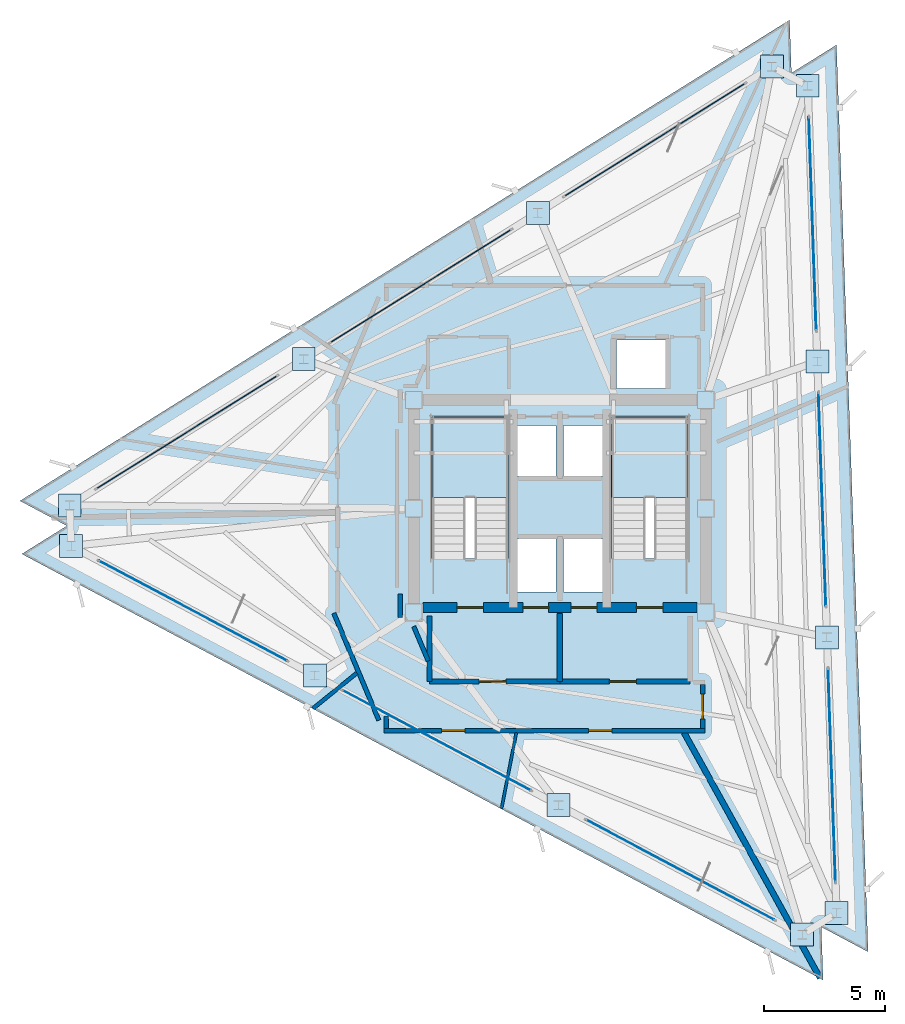
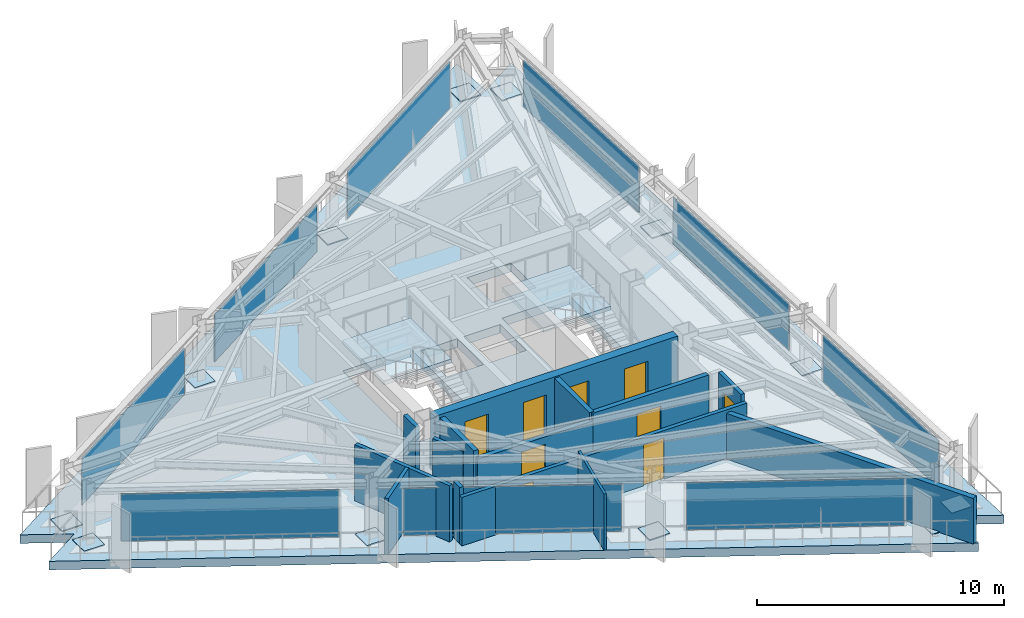
# One storey, part 8 of 13: 21 plates, 14 walls, 9 doors, 3 slabs, 9 openings, 11 elements without a shape of their own.
"""IFC4 building model written with IfcOpenShell, lengths in metres."""

from ifc_helpers import new_model, si_unit, direction, frame, frame_2d, origin, origin_2d, place, context, subcontext, project, spatial, polyline, rectangle, outline, extrude, material, layer, layer_set, type_object, element, fill, aggregate, save


model = new_model("IFC4")

# Units and contexts
model_context = context("Model", 3, precision=1e-05, world=origin(), true_north=direction((0.0, 1.0)))
body_context = subcontext(model_context, "Body", "Model", "MODEL_VIEW")
ifc_project = project(units=[si_unit("LENGTHUNIT", "METRE"), si_unit("AREAUNIT", "SQUARE_METRE"), si_unit("VOLUMEUNIT", "CUBIC_METRE"), si_unit("PLANEANGLEUNIT", "RADIAN"), si_unit("MASSUNIT", "GRAM", prefix="KILO")], contexts=[model_context])

# Site, building, storey
site_placement = place(None, origin())
site = spatial("IfcSite", under=ifc_project, at=site_placement, CompositionType="ELEMENT")
building_placement = place(site_placement, origin())
building = spatial("IfcBuilding", under=site, at=building_placement, Name="Rocaltana Carrier Exchange", CompositionType="ELEMENT")
storey_placement = place(building_placement, frame((0.0, 0.0, 193.60009765625)))
storey = spatial("IfcBuildingStorey", under=building, at=storey_placement, Name="L61", CompositionType="ELEMENT", Elevation=193.60009765625)

# Slab
ifc_material_1 = material(Name="Concrete C60/75", Category="concrete")
ifc_layer_1 = layer(ifc_material_1, 0.419921875)
ifc_layer_set_1 = layer_set([ifc_layer_1], Name="Concrete C60/75")
slab_type_1 = type_object("IfcSlabType", Name="Block Transfer Diaphragm Slab 420", PredefinedType="FLOOR", material=ifc_layer_set_1)
slab_1_placement = place(storey_placement, frame((0.0, 0.0, -0.420166015625)))
element("IfcSlab", 1, at=slab_1_placement, inside=storey, type_object=slab_type_1, Name="L61 Structural Floor Slab", PredefinedType="FLOOR", context=body_context, shape_type="SweptSolid", body=[
    extrude(outline(polyline([(10.907470703125, -19.53125), (10.83056640625, -17.33251953125), (12.773193359375, -18.365478515625), (11.4609375, 19.211669921875), (9.59521484375, 18.0458984375), (9.518310546875, 20.244384765625), (-22.3681640625, 0.319580078125), (-20.42578125, -0.71337890625), (-22.29150390625, -1.879150390625), (10.907470703125, -19.53125)]), holes=[polyline([(-5.300048828125, -2.06005859375), (-2.139892578125, -2.06005859375), (-2.139892578125, 3.800048828125), (-5.300048828125, 3.800048828125), (-5.300048828125, -2.06005859375)]), polyline([(2.139892578125, -2.06005859375), (5.300048828125, -2.06005859375), (5.300048828125, 3.800048828125), (2.139892578125, 3.800048828125), (2.139892578125, -2.06005859375)]), polyline([(-1.85009765625, -3.449951171875), (-0.14990234375, -3.449951171875), (-0.14990234375, -1.25), (-1.85009765625, -1.25), (-1.85009765625, -3.449951171875)]), polyline([(0.14990234375, -3.449951171875), (1.85009765625, -3.449951171875), (1.85009765625, -1.25), (0.14990234375, -1.25), (0.14990234375, -3.449951171875)]), polyline([(2.35009765625, 4.97998046875), (4.39990234375, 4.97998046875), (4.39990234375, 6.97998046875), (2.35009765625, 6.97998046875), (2.35009765625, 4.97998046875)]), polyline([(-1.85009765625, 1.35009765625), (-0.14990234375, 1.35009765625), (-0.14990234375, 3.449951171875), (-1.85009765625, 3.449951171875), (-1.85009765625, 1.35009765625)]), polyline([(0.14990234375, 1.35009765625), (1.85009765625, 1.35009765625), (1.85009765625, 3.449951171875), (0.14990234375, 3.449951171875), (0.14990234375, 1.35009765625)])]), origin(), (0.0, 0.0, 1.0), 0.420166015625),
])

# Curtain wall, plate
ifc_material_2 = material(Name="Aluminium 6063-T6", Category="aluminium")
ifc_layer_2 = layer(ifc_material_2, 0.1201171875)
ifc_layer_set_2 = layer_set([ifc_layer_2], Name="Aluminium 6063-T6")
curtain_wall_type = type_object("IfcCurtainWallType", Name="High-Altitude Thermal Curtain Wall CW-05", PredefinedType="NOTDEFINED", material=ifc_layer_set_2)
curtain_wall_1_placement = place(storey_placement, origin())
curtain_wall_1 = element("IfcCurtainWall", 2, at=curtain_wall_1_placement, inside=storey, type_object=curtain_wall_type, Name="L61 CW-05 Run CW-L61-F1S1", PredefinedType="NOTDEFINED")
ifc_material_3 = material(Name="Tempered Laminated Glass", Category="glass")
ifc_layer_3 = layer(ifc_material_3, 0.035888671875)
ifc_layer_set_3 = layer_set([ifc_layer_3], Name="Tempered Laminated Glass")
plate_type_1 = type_object("IfcPlateType", Name="CW-05 Stone-Insulated Vision Panel", PredefinedType="CURTAIN_PANEL", material=ifc_layer_set_3)
plate_1_placement = place(storey_placement, frame((11.266845703125, -11.046875, 0.06005859375), z_axis=(0.0, 0.0, 1.0), x_axis=(-0.034914127567, 0.999390315991, 0.0)))
plate_1 = element("IfcPlate", 3, at=plate_1_placement, type_object=plate_type_1, Name="CW-05 panel 1.1", PredefinedType="CURTAIN_PANEL", context=body_context, shape_type="SweptSolid", body=[
    extrude(rectangle(XDim=8.813232421875, YDim=0.035888671875, at=origin_2d()), origin(), (0.0, 0.0, 1.0), 2.327880859375),
])
aggregate(curtain_wall_1, [plate_1])

curtain_wall_2_placement = place(storey_placement, origin())
curtain_wall_2 = element("IfcCurtainWall", 4, at=curtain_wall_2_placement, inside=storey, type_object=curtain_wall_type, Name="L61 CW-05 Run CW-L61-F1S2", PredefinedType="NOTDEFINED")
plate_2_placement = place(storey_placement, frame((10.86767578125, 0.37939453125, 0.06005859375), z_axis=(0.0, 0.0, 1.0), x_axis=(-0.034902556738, 0.999390720156, 0.0)))
plate_2 = element("IfcPlate", 5, at=plate_2_placement, type_object=plate_type_1, Name="CW-05 panel 1.1", PredefinedType="CURTAIN_PANEL", context=body_context, shape_type="SweptSolid", body=[
    extrude(rectangle(XDim=8.8134765625, YDim=0.035888671875, at=origin_2d()), origin(), (0.0, 0.0, 1.0), 2.327880859375),
])
aggregate(curtain_wall_2, [plate_2])

curtain_wall_3_placement = place(storey_placement, origin())
curtain_wall_3 = element("IfcCurtainWall", 6, at=curtain_wall_3_placement, inside=storey, type_object=curtain_wall_type, Name="L61 CW-05 Run CW-L61-F1S3", PredefinedType="NOTDEFINED")
plate_3_placement = place(storey_placement, frame((10.46875, 11.805908203125, 0.06005859375), z_axis=(0.0, 0.0, 1.0), x_axis=(-0.034902556738, 0.999390720156, 0.0)))
plate_3 = element("IfcPlate", 7, at=plate_3_placement, type_object=plate_type_1, Name="CW-05 panel 1.1", PredefinedType="CURTAIN_PANEL", context=body_context, shape_type="SweptSolid", body=[
    extrude(rectangle(XDim=8.8134765625, YDim=0.035888671875, at=origin_2d()), origin(), (0.0, 0.0, 1.0), 2.327880859375),
])
aggregate(curtain_wall_3, [plate_3])

curtain_wall_4_placement = place(storey_placement, origin())
curtain_wall_4 = element("IfcCurtainWall", 8, at=curtain_wall_4_placement, inside=storey, type_object=curtain_wall_type, Name="L61 CW-05 Run CW-L61-F2S1", PredefinedType="NOTDEFINED")
plate_4_placement = place(storey_placement, frame((3.93359375, 15.28076171875, 0.06005859375), z_axis=(0.0, 0.0, 1.0), x_axis=(-0.848042322807, -0.529928503412, 0.0)))
plate_4 = element("IfcPlate", 9, at=plate_4_placement, type_object=plate_type_1, Name="CW-05 panel 1.1", PredefinedType="CURTAIN_PANEL", context=body_context, shape_type="SweptSolid", body=[
    extrude(rectangle(XDim=8.813232421875, YDim=0.035888671875, at=origin_2d()), origin(), (0.0, 0.0, 1.0), 2.327880859375),
])
aggregate(curtain_wall_4, [plate_4])

curtain_wall_5_placement = place(storey_placement, origin())
curtain_wall_5 = element("IfcCurtainWall", 10, at=curtain_wall_5_placement, inside=storey, type_object=curtain_wall_type, Name="L61 CW-05 Run CW-L61-F2S2", PredefinedType="NOTDEFINED")
plate_5_placement = place(storey_placement, frame((-5.762451171875, 9.221923828125, 0.06005859375), z_axis=(0.0, 0.0, 1.0), x_axis=(-0.848047353446, -0.529920452816, 0.0)))
plate_5 = element("IfcPlate", 11, at=plate_5_placement, type_object=plate_type_1, Name="CW-05 panel 1.1", PredefinedType="CURTAIN_PANEL", context=body_context, shape_type="SweptSolid", body=[
    extrude(rectangle(XDim=8.813232421875, YDim=0.035888671875, at=origin_2d()), origin(), (0.0, 0.0, 1.0), 2.327880859375),
])
aggregate(curtain_wall_5, [plate_5])

curtain_wall_6_placement = place(storey_placement, origin())
curtain_wall_6 = element("IfcCurtainWall", 12, at=curtain_wall_6_placement, inside=storey, type_object=curtain_wall_type, Name="L61 CW-05 Run CW-L61-F2S3", PredefinedType="NOTDEFINED")
plate_6_placement = place(storey_placement, frame((-15.45849609375, 3.163330078125, 0.06005859375), z_axis=(0.0, 0.0, 1.0), x_axis=(-0.848050496896, -0.529915422228, 0.0)))
plate_6 = element("IfcPlate", 13, at=plate_6_placement, type_object=plate_type_1, Name="CW-05 panel 1.1", PredefinedType="CURTAIN_PANEL", context=body_context, shape_type="SweptSolid", body=[
    extrude(rectangle(XDim=8.813232421875, YDim=0.035888671875, at=origin_2d()), origin(), (0.0, 0.0, 1.0), 2.327880859375),
])
aggregate(curtain_wall_6, [plate_6])

curtain_wall_7_placement = place(storey_placement, origin())
curtain_wall_7 = element("IfcCurtainWall", 14, at=curtain_wall_7_placement, inside=storey, type_object=curtain_wall_type, Name="L61 CW-05 Run CW-L61-F3S1", PredefinedType="NOTDEFINED")
plate_7_placement = place(storey_placement, frame((-15.2001953125, -4.23388671875, 0.06005859375), z_axis=(0.0, 0.0, 1.0), x_axis=(0.882941304732, -0.469483388841, 0.0)))
plate_7 = element("IfcPlate", 15, at=plate_7_placement, type_object=plate_type_1, Name="CW-05 panel 1.1", PredefinedType="CURTAIN_PANEL", context=body_context, shape_type="SweptSolid", body=[
    extrude(rectangle(XDim=8.8134765625, YDim=0.035888671875, at=origin_2d()), origin(), (0.0, 0.0, 1.0), 2.327880859375),
])
aggregate(curtain_wall_7, [plate_7])

curtain_wall_8_placement = place(storey_placement, origin())
curtain_wall_8 = element("IfcCurtainWall", 16, at=curtain_wall_8_placement, inside=storey, type_object=curtain_wall_type, Name="L61 CW-05 Run CW-L61-F3S2", PredefinedType="NOTDEFINED")
plate_8_placement = place(storey_placement, frame((-5.105224609375, -9.6015625, 0.06005859375), z_axis=(0.0, 0.0, 1.0), x_axis=(0.882943477624, -0.469479302335, 0.0)))
plate_8 = element("IfcPlate", 17, at=plate_8_placement, type_object=plate_type_1, Name="CW-05 panel 1.1", PredefinedType="CURTAIN_PANEL", context=body_context, shape_type="SweptSolid", body=[
    extrude(rectangle(XDim=8.813232421875, YDim=0.035888671875, at=origin_2d()), origin(), (0.0, 0.0, 1.0), 2.327880859375),
])
aggregate(curtain_wall_8, [plate_8])

curtain_wall_9_placement = place(storey_placement, origin())
curtain_wall_9 = element("IfcCurtainWall", 18, at=curtain_wall_9_placement, inside=storey, type_object=curtain_wall_type, Name="L61 CW-05 Run CW-L61-F3S3", PredefinedType="NOTDEFINED")
plate_9_placement = place(storey_placement, frame((4.98974609375, -14.968994140625, 0.06005859375), z_axis=(0.0, 0.0, 1.0), x_axis=(0.882945944879, -0.469474662173, 0.0)))
plate_9 = element("IfcPlate", 19, at=plate_9_placement, type_object=plate_type_1, Name="CW-05 panel 1.1", PredefinedType="CURTAIN_PANEL", context=body_context, shape_type="SweptSolid", body=[
    extrude(rectangle(XDim=8.8134765625, YDim=0.035888671875, at=origin_2d()), origin(), (0.0, 0.0, 1.0), 2.327880859375),
])
aggregate(curtain_wall_9, [plate_9])

# Plates
ifc_material_4 = material(Name="Steel S460", Category="steel")
ifc_layer_4 = layer(ifc_material_4, 0.0400390625)
ifc_layer_set_4 = layer_set([ifc_layer_4], Name="Steel S460")
plate_type_2 = type_object("IfcPlateType", Name="Column Base Bearing Plate 950x950x40", PredefinedType="SHEET", material=ifc_layer_set_4)
for number, where, z_axis, x_axis, name in (
    (20, (11.46630859375, -16.760009765625, 0.0), (0.0, 0.0, 1.0), (1.0, 0.0, 0.0), "L61 Block Transfer Bearing Plate TC01"),
    (21, (11.067138671875, -5.333740234375, 0.0), (0.0, 0.0, 1.0), (1.0, 0.0, 0.0), "L61 Block Transfer Bearing Plate TC02"),
    (22, (10.668212890625, 6.0927734375, 0.0), (0.0, 0.0, 1.0), (1.0, 0.0, 0.0), "L61 Block Transfer Bearing Plate TC03"),
    (23, (10.269287109375, 17.51904296875, 0.0), (0.0, 0.0, 1.0), (1.0, 0.0, 0.0), "L61 Block Transfer Bearing Plate TC04"),
    (24, (8.781494140625, 18.31005859375, 0.0), (0.0, 0.0, 1.0), (1.0, 0.0, 0.0), "L61 Block Transfer Bearing Plate TC05"),
    (25, (-0.91455078125, 12.251220703125, 0.0), (0.0, 0.0, 1.0), (1.0, 0.0, 0.0), "L61 Block Transfer Bearing Plate TC06"),
    (26, (-10.610595703125, 6.192626953125, 0.0), (0.0, 0.0, 1.0), (1.0, 0.0, 0.0), "L61 Block Transfer Bearing Plate TC07"),
    (27, (-20.306640625, 0.1337890625, 0.0), (0.0, 0.0, 1.0), (1.0, 0.0, 0.0), "L61 Block Transfer Bearing Plate TC08"),
    (28, (-20.247802734375, -1.550048828125, 0.0), (0.0, 0.0, 1.0), (1.0, 0.0, 0.0), "L61 Block Transfer Bearing Plate TC09"),
    (29, (-10.152587890625, -6.917724609375, 0.0), (0.0, 0.0, 1.0), (1.0, 0.0, 0.0), "L61 Block Transfer Bearing Plate TC10"),
    (30, (-0.0576171875, -12.285400390625, 0.0), (0.0, 0.0, 1.0), (1.0, 0.0, 0.0), "L61 Block Transfer Bearing Plate TC11"),
    (31, (10.037353515625, -17.65283203125, 0.0), (0.0, 0.0, 1.0), (1.0, 0.0, 0.0), "L61 Block Transfer Bearing Plate TC12"),
):
    element("IfcPlate", number, at=place(storey_placement, frame(where, z_axis=z_axis, x_axis=x_axis)), inside=storey, type_object=plate_type_2, Name=name, PredefinedType="SHEET", context=body_context, shape_type="SweptSolid", body=[
        extrude(rectangle(XDim=0.949951171875, YDim=0.949951171875, at=origin_2d()), origin(), (0.0, 0.0, 1.0), 0.0400390625),
    ])

# Stair, slab
ifc_material_5 = material(Name="Precast concrete C45/55", Category="concrete")
stair_type = type_object("IfcStairType", Name="Standard Dog-Leg Stair 160", PredefinedType="HALF_TURN_STAIR", material=ifc_material_5)
stair_1_placement = place(storey_placement, origin())
stair_1 = element("IfcStair", 32, at=stair_1_placement, inside=storey, type_object=stair_type, Name="L61 Core West Exit Stair ST-1", PredefinedType="HALF_TURN_STAIR")
ifc_material_6 = material(Name="Precast concrete C45/55", Category="concrete")
ifc_layer_5 = layer(ifc_material_6, 0.199951171875)
ifc_layer_set_5 = layer_set([ifc_layer_5], Name="Precast concrete C45/55")
slab_type_2 = type_object("IfcSlabType", Name="Precast Stair Half-Landing 200", PredefinedType="LANDING", material=ifc_layer_set_5)
slab_2_placement = place(storey_placement, frame((0.0, 0.0, 1.31982421875)))
slab_2 = element("IfcSlab", 33, at=slab_2_placement, type_object=slab_type_2, Name="ST-1 landing 1", PredefinedType="LANDING", context=body_context, shape_type="SweptSolid", body=[
    extrude(outline(polyline([(-2.139892578125, 0.4599609375), (-2.139892578125, 3.800048828125), (-5.300048828125, 3.800048828125), (-5.300048828125, 0.4599609375), (-2.139892578125, 0.4599609375)])), origin(), (0.0, 0.0, 1.0), 0.2001953125),
])
aggregate(stair_1, [slab_2])

stair_2_placement = place(storey_placement, origin())
stair_2 = element("IfcStair", 34, at=stair_2_placement, inside=storey, type_object=stair_type, Name="L61 Core East Exit Stair ST-2", PredefinedType="HALF_TURN_STAIR")
slab_3_placement = place(storey_placement, frame((0.0, 0.0, 1.31982421875)))
slab_3 = element("IfcSlab", 35, at=slab_3_placement, type_object=slab_type_2, Name="ST-2 landing 1", PredefinedType="LANDING", context=body_context, shape_type="SweptSolid", body=[
    extrude(outline(polyline([(5.300048828125, 0.4599609375), (5.300048828125, 3.800048828125), (2.139892578125, 3.800048828125), (2.139892578125, 0.4599609375), (5.300048828125, 0.4599609375)])), origin(), (0.0, 0.0, 1.0), 0.2001953125),
])
aggregate(stair_2, [slab_3])

# Wall
ifc_material_7 = material(Name="Double Acoustic Gypsum Partition", Category="gypsum")
ifc_layer_6 = layer(ifc_material_7, 0.159912109375)
ifc_layer_set_6 = layer_set([ifc_layer_6], Name="Double Acoustic Gypsum Partition")
wall_type_1 = type_object("IfcWallType", Name="Acoustic Studio Partition 160 EI60", PredefinedType="PARTITIONING", material=ifc_layer_set_6)
wall_1_placement = place(storey_placement, frame((-8.4111328125, -6.811279296875, 0.0), z_axis=(0.0, 0.0, 1.0), x_axis=(-0.777176762159, -0.629282353448, 0.0)))
element("IfcWall", 36, at=wall_1_placement, inside=storey, type_object=wall_type_1, Name="L61 Suite Divider Wall D2", PredefinedType="PARTITIONING", context=body_context, shape_type="SweptSolid", body=[
    extrude(rectangle(XDim=2.33740234375, YDim=0.159912109375, at=frame_2d((1.168701171875, 0.0))), origin(), (0.0, 0.0, 1.0), 2.77294921875),
])

# Wall, openings, doors
ifc_material_8 = material(Name="Concrete C50/60", Category="concrete")
ifc_layer_7 = layer(ifc_material_8, 0.39990234375)
ifc_layer_set_7 = layer_set([ifc_layer_7], Name="Concrete C50/60")
wall_type_2 = type_object("IfcWallType", Name="Core Internal Shear Wall 400", PredefinedType="SHEAR", material=ifc_layer_set_7)
wall_2_placement = place(storey_placement, frame((-5.675048828125, -4.10009765625, 0.0), z_axis=(0.0, 0.0, 1.0), x_axis=(1.0, 0.0, 0.0)))
wall_2 = element("IfcWall", 37, at=wall_2_placement, inside=storey, type_object=wall_type_2, Name="L61 Core Shear Wall CW-S", PredefinedType="SHEAR", context=body_context, shape_type="SweptSolid", body=[
    extrude(rectangle(XDim=11.35009765625, YDim=0.39990234375, at=frame_2d((5.675048828125, 0.0))), origin(), (0.0, 0.0, 1.0), 2.7978515625),
])
opening_1_placement = place(wall_2_placement, frame((1.405029296875, 0.0, 0.0)))
opening_1 = element("IfcOpeningElement", 38, at=opening_1_placement, cuts=wall_2, Name="Opening D-ST110", PredefinedType="OPENING", context=body_context, shape_type="SweptSolid", body=[
    extrude(rectangle(XDim=1.10009765625, YDim=2.0400390625, at=frame_2d((0.550048828125, 1.02001953125))), frame((0.0, 0.2099609375, 0.0), z_axis=(0.0, -1.0, 0.0), x_axis=(1.0, 0.0, 0.0)), (0.0, 0.0, 1.0), 0.419921875),
])
opening_2_placement = place(wall_2_placement, frame((8.844970703125, 0.0, 0.0)))
opening_2 = element("IfcOpeningElement", 39, at=opening_2_placement, cuts=wall_2, Name="Opening D-ST110", PredefinedType="OPENING", context=body_context, shape_type="SweptSolid", body=[
    extrude(rectangle(XDim=1.10009765625, YDim=2.0400390625, at=frame_2d((0.550048828125, 1.02001953125))), frame((0.0, 0.2099609375, 0.0), z_axis=(0.0, -1.0, 0.0), x_axis=(1.0, 0.0, 0.0)), (0.0, 0.0, 1.0), 0.419921875),
])
opening_3_placement = place(wall_2_placement, frame((4.14501953125, 0.0, 0.0)))
opening_3 = element("IfcOpeningElement", 40, at=opening_3_placement, cuts=wall_2, Name="Opening LD-110", PredefinedType="OPENING", context=body_context, shape_type="SweptSolid", body=[
    extrude(rectangle(XDim=1.06005859375, YDim=2.0400390625, at=frame_2d((0.530029296875, 1.02001953125))), frame((0.0, 0.2099609375, 0.0), z_axis=(0.0, -1.0, 0.0), x_axis=(1.0, 0.0, 0.0)), (0.0, 0.0, 1.0), 0.419921875),
])
opening_4_placement = place(wall_2_placement, frame((6.14501953125, 0.0, 0.0)))
opening_4 = element("IfcOpeningElement", 41, at=opening_4_placement, cuts=wall_2, Name="Opening LD-110", PredefinedType="OPENING", context=body_context, shape_type="SweptSolid", body=[
    extrude(rectangle(XDim=1.06005859375, YDim=2.0400390625, at=frame_2d((0.530029296875, 1.02001953125))), frame((0.0, 0.2099609375, 0.0), z_axis=(0.0, -1.0, 0.0), x_axis=(1.0, 0.0, 0.0)), (0.0, 0.0, 1.0), 0.419921875),
])
ifc_material_9 = material(Name="Hollow Metal Fire Door Assembly", Category="steel")
door_type_1 = type_object("IfcDoorType", Name="Exit Stair Fire Door 1100x2040 FD90S", OperationType="NOTDEFINED", PredefinedType="DOOR", material=ifc_material_9)
door_1_placement = place(opening_1_placement, origin())
door_1 = element("IfcDoor", 42, at=door_1_placement, inside=storey, type_object=door_type_1, Name="L61 Exit Stair ST1 Fire Door", OperationType="SINGLE_SWING_RIGHT", OverallHeight=2.0400390625, OverallWidth=1.10009765625, PredefinedType="DOOR", context=body_context, shape_type="SweptSolid", body=[
    extrude(rectangle(XDim=1.10009765625, YDim=2.0400390625, at=frame_2d((0.550048828125, 1.02001953125))), frame((0.0, 0.02490234375, 0.0), z_axis=(0.0, -1.0, 0.0), x_axis=(1.0, 0.0, 0.0)), (0.0, 0.0, 1.0), 0.050048828125),
])
fill(opening_1, door_1)
door_2_placement = place(opening_2_placement, origin())
door_2 = element("IfcDoor", 43, at=door_2_placement, inside=storey, type_object=door_type_1, Name="L61 Exit Stair ST2 Fire Door", OperationType="SINGLE_SWING_LEFT", OverallHeight=2.0400390625, OverallWidth=1.10009765625, PredefinedType="DOOR", context=body_context, shape_type="SweptSolid", body=[
    extrude(rectangle(XDim=1.10009765625, YDim=2.0400390625, at=frame_2d((0.550048828125, 1.02001953125))), frame((0.0, 0.02490234375, 0.0), z_axis=(0.0, -1.0, 0.0), x_axis=(1.0, 0.0, 0.0)), (0.0, 0.0, 1.0), 0.050048828125),
])
fill(opening_2, door_2)
ifc_material_10 = material(Name="Brushed Stainless Sliding Door Leaf", Category="steel")
door_type_2 = type_object("IfcDoorType", Name="Lift Landing Sliding Door 1060x2040", OperationType="NOTDEFINED", PredefinedType="DOOR", material=ifc_material_10)
door_3_placement = place(opening_3_placement, origin())
door_3 = element("IfcDoor", 44, at=door_3_placement, inside=storey, type_object=door_type_2, Name="L61 Firefighting Lift FFL1 Landing Door", OperationType="SLIDING_TO_LEFT", OverallHeight=2.0400390625, OverallWidth=1.06005859375, PredefinedType="DOOR", context=body_context, shape_type="SweptSolid", body=[
    extrude(rectangle(XDim=1.06005859375, YDim=2.0400390625, at=frame_2d((0.530029296875, 1.02001953125))), frame((0.0, 0.02490234375, 0.0), z_axis=(0.0, -1.0, 0.0), x_axis=(1.0, 0.0, 0.0)), (0.0, 0.0, 1.0), 0.050048828125),
])
fill(opening_3, door_3)
door_4_placement = place(opening_4_placement, origin())
door_4 = element("IfcDoor", 45, at=door_4_placement, inside=storey, type_object=door_type_2, Name="L61 Firefighting Lift FFL2 Landing Door", OperationType="SLIDING_TO_RIGHT", OverallHeight=2.0400390625, OverallWidth=1.06005859375, PredefinedType="DOOR", context=body_context, shape_type="SweptSolid", body=[
    extrude(rectangle(XDim=1.06005859375, YDim=2.0400390625, at=frame_2d((0.530029296875, 1.02001953125))), frame((0.0, 0.02490234375, 0.0), z_axis=(0.0, -1.0, 0.0), x_axis=(1.0, 0.0, 0.0)), (0.0, 0.0, 1.0), 0.050048828125),
])
fill(opening_4, door_4)

# Walls
ifc_material_11 = material(Name="Gypsum & Steel Stud Partition", Category="steel")
ifc_layer_8 = layer(ifc_material_11, 0.179931640625)
ifc_layer_set_8 = layer_set([ifc_layer_8], Name="Gypsum & Steel Stud Partition")
wall_type_3 = type_object("IfcWallType", Name="Corridor Fire Partition 180 EI60", PredefinedType="PARTITIONING", material=ifc_layer_set_8)
wall_3_placement = place(storey_placement, frame((-7.501220703125, -8.768798828125, 0.0), z_axis=(0.0, 0.0, 1.0), x_axis=(-0.387573945081, 0.921838617706, 0.0)))
element("IfcWall", 46, at=wall_3_placement, inside=storey, type_object=wall_type_3, Name="L61 Corridor Partition 1", PredefinedType="PARTITIONING", context=body_context, shape_type="SweptSolid", body=[
    extrude(rectangle(XDim=4.813232421875, YDim=0.179931640625, at=frame_2d((2.40673828125, 0.0))), origin(), (0.0, 0.0, 1.0), 2.77294921875),
])
wall_4_placement = place(storey_placement, frame((-6.610107421875, -3.541259765625, 0.0), z_axis=(0.0, 0.0, 1.0), x_axis=(0.0, -1.0, 0.0)))
element("IfcWall", 47, at=wall_4_placement, inside=storey, type_object=wall_type_3, Name="L61 Corridor Partition 12", PredefinedType="PARTITIONING", context=body_context, shape_type="SweptSolid", body=[
    extrude(rectangle(XDim=0.978759765625, YDim=0.179931640625, at=frame_2d((0.4892578125, 0.0))), origin(), (0.0, 0.0, 1.0), 2.77294921875),
])
wall_5_placement = place(storey_placement, frame((-6.0546875, -4.881591796875, 0.0), z_axis=(0.0, 0.0, 1.0), x_axis=(0.387579540458, -0.921836265189, 0.0)))
element("IfcWall", 48, at=wall_5_placement, inside=storey, type_object=wall_type_3, Name="L61 Corridor Partition 13", PredefinedType="PARTITIONING", context=body_context, shape_type="SweptSolid", body=[
    extrude(rectangle(XDim=1.5546875, YDim=0.179931640625, at=frame_2d((0.77734375, 0.0))), origin(), (0.0, 0.0, 1.0), 2.2529296875),
])

# Wall, opening, door
wall_6_placement = place(storey_placement, frame((5.919921875, -7.2900390625, 0.0), z_axis=(0.0, 0.0, 1.0), x_axis=(0.0, -1.0, 0.0)))
wall_6 = element("IfcWall", 49, at=wall_6_placement, inside=storey, type_object=wall_type_3, Name="L61 Corridor Partition 15", PredefinedType="PARTITIONING", context=body_context, shape_type="SweptSolid", body=[
    extrude(rectangle(XDim=1.820068359375, YDim=0.179931640625, at=frame_2d((0.91015625, 0.0))), origin(), (0.0, 0.0, 1.0), 2.77294921875),
])
opening_5_placement = place(wall_6_placement, frame((0.39990234375, 0.0, 0.0)))
opening_5 = element("IfcOpeningElement", 50, at=opening_5_placement, cuts=wall_6, Name="Opening D-LB104", PredefinedType="OPENING", context=body_context, shape_type="SweptSolid", body=[
    extrude(rectangle(XDim=1.02001953125, YDim=2.02001953125, at=frame_2d((0.510009765625, 1.010009765625))), frame((0.0, 0.099853515625, 0.0), z_axis=(0.0, -1.0, 0.0), x_axis=(1.0, 0.0, 0.0)), (0.0, 0.0, 1.0), 0.199951171875),
])
ifc_material_12 = material(Name="Powder-Coated Aluminium 6063-T6", Category="aluminium")
door_type_3 = type_object("IfcDoorType", Name="Laboratory Acoustic Door 1020x2020", OperationType="NOTDEFINED", PredefinedType="DOOR", material=ifc_material_12)
door_5_placement = place(opening_5_placement, origin())
door_5 = element("IfcDoor", 51, at=door_5_placement, inside=storey, type_object=door_type_3, Name="L61 Optical Switching Laboratory Entrance Door", OperationType="SINGLE_SWING_LEFT", OverallHeight=2.02001953125, OverallWidth=1.02001953125, PredefinedType="DOOR", context=body_context, shape_type="SweptSolid", body=[
    extrude(rectangle(XDim=1.02001953125, YDim=2.02001953125, at=frame_2d((0.510009765625, 1.010009765625))), frame((0.0, 0.02490234375, 0.0), z_axis=(0.0, -1.0, 0.0), x_axis=(1.0, 0.0, 0.0)), (0.0, 0.0, 1.0), 0.050048828125),
])
fill(opening_5, door_5)

# Wall, openings, doors
wall_7_placement = place(storey_placement, frame((6.010009765625, -9.199951171875, 0.0), z_axis=(0.0, 0.0, 1.0), x_axis=(-1.0, 0.0, 0.0)))
wall_7 = element("IfcWall", 52, at=wall_7_placement, inside=storey, type_object=wall_type_3, Name="L61 Corridor Partition 16", PredefinedType="PARTITIONING", context=body_context, shape_type="SweptSolid", body=[
    extrude(rectangle(XDim=13.300048828125, YDim=0.179931640625, at=frame_2d((6.64990234375, 0.0))), origin(), (0.0, 0.0, 1.0), 2.39501953125),
])
opening_6_placement = place(wall_7_placement, frame((9.947509765625, 0.0, 0.0)))
opening_6 = element("IfcOpeningElement", 53, at=opening_6_placement, cuts=wall_7, Name="Opening D-RM098", PredefinedType="OPENING", context=body_context, shape_type="SweptSolid", body=[
    extrude(rectangle(XDim=0.9599609375, YDim=2.02001953125, at=frame_2d((0.47998046875, 1.010009765625))), frame((0.0, 0.099853515625, 0.0), z_axis=(0.0, -1.0, 0.0), x_axis=(1.0, 0.0, 0.0)), (0.0, 0.0, 1.0), 0.199951171875),
])
opening_7_placement = place(wall_7_placement, frame((3.857177734375, 0.0, 0.0)))
opening_7 = element("IfcOpeningElement", 54, at=opening_7_placement, cuts=wall_7, Name="Opening D-RM098", PredefinedType="OPENING", context=body_context, shape_type="SweptSolid", body=[
    extrude(rectangle(XDim=0.9599609375, YDim=2.02001953125, at=frame_2d((0.47998046875, 1.010009765625))), frame((0.0, 0.099853515625, 0.0), z_axis=(0.0, -1.0, 0.0), x_axis=(1.0, 0.0, 0.0)), (0.0, 0.0, 1.0), 0.199951171875),
])
ifc_material_13 = material(Name="Engineered Hardwood Timber", Category="wood")
door_type_4 = type_object("IfcDoorType", Name="Workspace Single Door 960x2020", OperationType="NOTDEFINED", PredefinedType="DOOR", material=ifc_material_13)
door_6_placement = place(opening_6_placement, origin())
door_6 = element("IfcDoor", 55, at=door_6_placement, inside=storey, type_object=door_type_4, Name="L61 Incident Briefing Room Entrance Door", OperationType="SINGLE_SWING_LEFT", OverallHeight=2.02001953125, OverallWidth=0.9599609375, PredefinedType="DOOR", context=body_context, shape_type="SweptSolid", body=[
    extrude(rectangle(XDim=0.9599609375, YDim=2.02001953125, at=frame_2d((0.47998046875, 1.010009765625))), frame((0.0, 0.02490234375, 0.0), z_axis=(0.0, -1.0, 0.0), x_axis=(1.0, 0.0, 0.0)), (0.0, 0.0, 1.0), 0.050048828125),
])
fill(opening_6, door_6)
door_7_placement = place(opening_7_placement, origin())
door_7 = element("IfcDoor", 56, at=door_7_placement, inside=storey, type_object=door_type_4, Name="L61 Peering Conference Room Entrance Door", OperationType="SINGLE_SWING_RIGHT", OverallHeight=2.02001953125, OverallWidth=0.9599609375, PredefinedType="DOOR", context=body_context, shape_type="SweptSolid", body=[
    extrude(rectangle(XDim=0.9599609375, YDim=2.02001953125, at=frame_2d((0.47998046875, 1.010009765625))), frame((0.0, 0.02490234375, 0.0), z_axis=(0.0, -1.0, 0.0), x_axis=(1.0, 0.0, 0.0)), (0.0, 0.0, 1.0), 0.050048828125),
])
fill(opening_7, door_7)

# Walls
wall_8_placement = place(storey_placement, frame((-7.199951171875, -9.110107421875, 0.0), z_axis=(0.0, 0.0, 1.0), x_axis=(0.0, 1.0, 0.0)))
element("IfcWall", 57, at=wall_8_placement, inside=storey, type_object=wall_type_3, Name="L61 Corridor Partition 17", PredefinedType="PARTITIONING", context=body_context, shape_type="SweptSolid", body=[
    extrude(rectangle(XDim=0.509521484375, YDim=0.179931640625, at=frame_2d((0.2548828125, 0.0))), origin(), (0.0, 0.0, 1.0), 2.77294921875),
])
ifc_material_14 = material(Name="Aluminium 6063-T6 & Acoustic Glass", Category="aluminium")
ifc_layer_9 = layer(ifc_material_14, 0.114990234375)
ifc_layer_set_9 = layer_set([ifc_layer_9], Name="Aluminium 6063-T6 & Acoustic Glass")
wall_type_4 = type_object("IfcWallType", Name="Demountable Glazed Lab Partition 115", PredefinedType="MOVABLE", material=ifc_layer_set_9)
wall_9_placement = place(storey_placement, frame((-1.8037109375, -9.280029296875, 0.0), z_axis=(0.0, 0.0, 1.0), x_axis=(-0.190810698239, -0.981626852443, 0.0)))
element("IfcWall", 58, at=wall_9_placement, inside=storey, type_object=wall_type_4, Name="L61 Suite Divider Wall D3", PredefinedType="MOVABLE", context=body_context, shape_type="SweptSolid", body=[
    extrude(rectangle(XDim=3.214111328125, YDim=0.114990234375, at=frame_2d((1.60693359375, 0.0))), origin(), (0.0, 0.0, 1.0), 2.77294921875),
])
ifc_material_15 = material(Name="Autoclaved Aerated Concrete C30/37", Category="concrete")
ifc_layer_10 = layer(ifc_material_15, 0.219970703125)
ifc_layer_set_10 = layer_set([ifc_layer_10], Name="Autoclaved Aerated Concrete C30/37")
wall_type_5 = type_object("IfcWallType", Name="Firefighting Lobby Wall 220 EI120", PredefinedType="PARTITIONING", material=ifc_layer_set_10)
wall_10_placement = place(storey_placement, frame((-5.39990234375, -7.159912109375, 0.0), z_axis=(0.0, 0.0, 1.0), x_axis=(0.0, 1.0, 0.0)))
element("IfcWall", 59, at=wall_10_placement, inside=storey, type_object=wall_type_5, Name="L61 FFL Lobby 1 West Wall", PredefinedType="PARTITIONING", context=body_context, shape_type="SweptSolid", body=[
    extrude(rectangle(XDim=2.7099609375, YDim=0.219970703125, at=frame_2d((1.35498046875, 0.0))), origin(), (0.0, 0.0, 1.0), 2.77294921875),
])
wall_11_placement = place(storey_placement, frame((0.0, -7.159912109375, 0.0), z_axis=(0.0, 0.0, 1.0), x_axis=(0.0, 1.0, 0.0)))
element("IfcWall", 60, at=wall_11_placement, inside=storey, type_object=wall_type_5, Name="L61 FFL Lobby Centre Wall", PredefinedType="PARTITIONING", context=body_context, shape_type="SweptSolid", body=[
    extrude(rectangle(XDim=2.809814453125, YDim=0.219970703125, at=frame_2d((1.40478515625, 0.0))), origin(), (0.0, 0.0, 1.0), 2.77294921875),
])

# Wall, opening, door
wall_12_placement = place(storey_placement, frame((-5.39990234375, -7.159912109375, 0.0), z_axis=(0.0, 0.0, 1.0), x_axis=(1.0, 0.0, 0.0)))
wall_12 = element("IfcWall", 61, at=wall_12_placement, inside=storey, type_object=wall_type_5, Name="L61 FFL Lobby 1 South Wall", PredefinedType="PARTITIONING", context=body_context, shape_type="SweptSolid", body=[
    extrude(rectangle(XDim=5.39990234375, YDim=0.219970703125, at=frame_2d((2.699951171875, 0.0))), origin(), (0.0, 0.0, 1.0), 2.39501953125),
])
opening_8_placement = place(wall_12_placement, frame((2.050048828125, 0.0, 0.0)))
opening_8 = element("IfcOpeningElement", 62, at=opening_8_placement, cuts=wall_12, Name="Opening D-FF115", PredefinedType="OPENING", context=body_context, shape_type="SweptSolid", body=[
    extrude(rectangle(XDim=1.1201171875, YDim=2.02001953125, at=frame_2d((0.56005859375, 1.010009765625))), frame((0.0, 0.119873046875, 0.0), z_axis=(0.0, -1.0, 0.0), x_axis=(1.0, 0.0, 0.0)), (0.0, 0.0, 1.0), 0.239990234375),
])
ifc_material_16 = material(Name="Hollow Metal Fire Door Assembly", Category="steel")
door_type_5 = type_object("IfcDoorType", Name="Firefighting Lobby Door 1120x2020 FD60S", OperationType="NOTDEFINED", PredefinedType="DOOR", material=ifc_material_16)
door_8_placement = place(opening_8_placement, origin())
door_8 = element("IfcDoor", 63, at=door_8_placement, inside=storey, type_object=door_type_5, Name="L61 Firefighting Lift Lobby 1 Door", OperationType="SINGLE_SWING_RIGHT", OverallHeight=2.02001953125, OverallWidth=1.1201171875, PredefinedType="DOOR", context=body_context, shape_type="SweptSolid", body=[
    extrude(rectangle(XDim=1.1201171875, YDim=2.02001953125, at=frame_2d((0.56005859375, 1.010009765625))), frame((0.0, 0.02490234375, 0.0), z_axis=(0.0, -1.0, 0.0), x_axis=(1.0, 0.0, 0.0)), (0.0, 0.0, 1.0), 0.050048828125),
])
fill(opening_8, door_8)

wall_13_placement = place(storey_placement, frame((0.0, -7.159912109375, 0.0), z_axis=(0.0, 0.0, 1.0), x_axis=(1.0, 0.0, 0.0)))
wall_13 = element("IfcWall", 64, at=wall_13_placement, inside=storey, type_object=wall_type_5, Name="L61 FFL Lobby 2 South Wall", PredefinedType="PARTITIONING", context=body_context, shape_type="SweptSolid", body=[
    extrude(rectangle(XDim=5.39990234375, YDim=0.219970703125, at=frame_2d((2.699951171875, 0.0))), origin(), (0.0, 0.0, 1.0), 2.77294921875),
])
opening_9_placement = place(wall_13_placement, frame((2.050048828125, 0.0, 0.0)))
opening_9 = element("IfcOpeningElement", 65, at=opening_9_placement, cuts=wall_13, Name="Opening D-FF115", PredefinedType="OPENING", context=body_context, shape_type="SweptSolid", body=[
    extrude(rectangle(XDim=1.1201171875, YDim=2.02001953125, at=frame_2d((0.56005859375, 1.010009765625))), frame((0.0, 0.119873046875, 0.0), z_axis=(0.0, -1.0, 0.0), x_axis=(1.0, 0.0, 0.0)), (0.0, 0.0, 1.0), 0.239990234375),
])
door_9_placement = place(opening_9_placement, origin())
door_9 = element("IfcDoor", 66, at=door_9_placement, inside=storey, type_object=door_type_5, Name="L61 Firefighting Lift Lobby 2 Door", OperationType="SINGLE_SWING_LEFT", OverallHeight=2.02001953125, OverallWidth=1.1201171875, PredefinedType="DOOR", context=body_context, shape_type="SweptSolid", body=[
    extrude(rectangle(XDim=1.1201171875, YDim=2.02001953125, at=frame_2d((0.56005859375, 1.010009765625))), frame((0.0, 0.02490234375, 0.0), z_axis=(0.0, -1.0, 0.0), x_axis=(1.0, 0.0, 0.0)), (0.0, 0.0, 1.0), 0.050048828125),
])
fill(opening_9, door_9)

# Wall
ifc_material_17 = material(Name="Acoustic Calcium Silicate Partition", Category="gypsum")
ifc_layer_11 = layer(ifc_material_17, 0.239990234375)
ifc_layer_set_11 = layer_set([ifc_layer_11], Name="Acoustic Calcium Silicate Partition")
wall_type_6 = type_object("IfcWallType", Name="Heavy Lab Partition 240 EI90", PredefinedType="PARTITIONING", material=ifc_layer_set_11)
wall_14_placement = place(storey_placement, frame((5.14404296875, -9.280029296875, 0.0), z_axis=(0.0, 0.0, 1.0), x_axis=(0.484798043034, -0.874626124393, 0.0)))
element("IfcWall", 67, at=wall_14_placement, inside=storey, type_object=wall_type_6, Name="L61 Suite Divider Wall D4", PredefinedType="PARTITIONING", context=body_context, shape_type="SweptSolid", body=[
    extrude(rectangle(XDim=11.632568359375, YDim=0.239990234375, at=frame_2d((5.81640625, 0.0))), origin(), (0.0, 0.0, 1.0), 2.2529296875),
])

save(model, "model.ifc")
